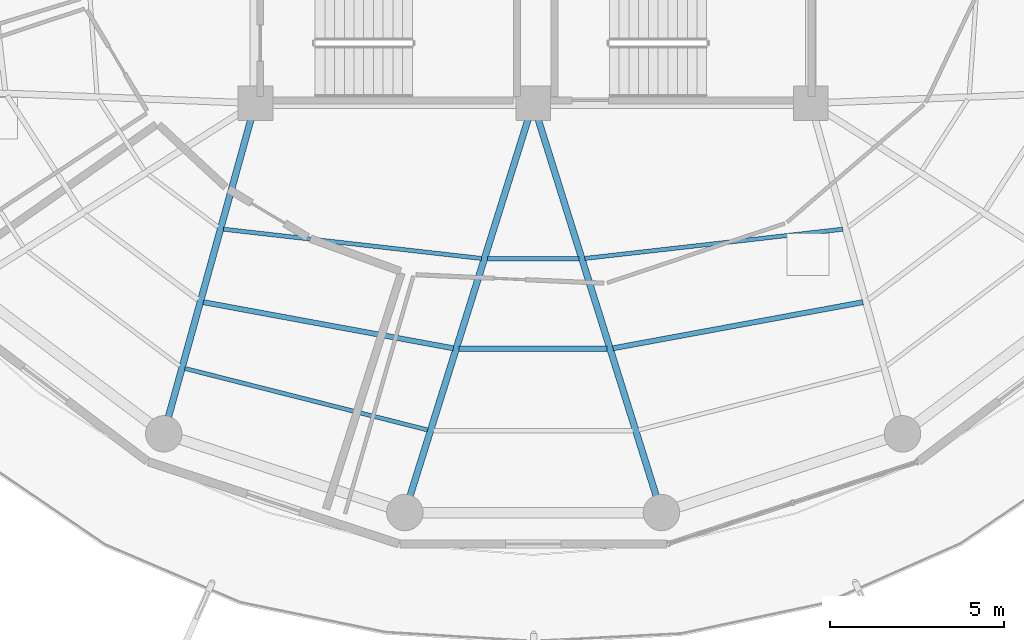
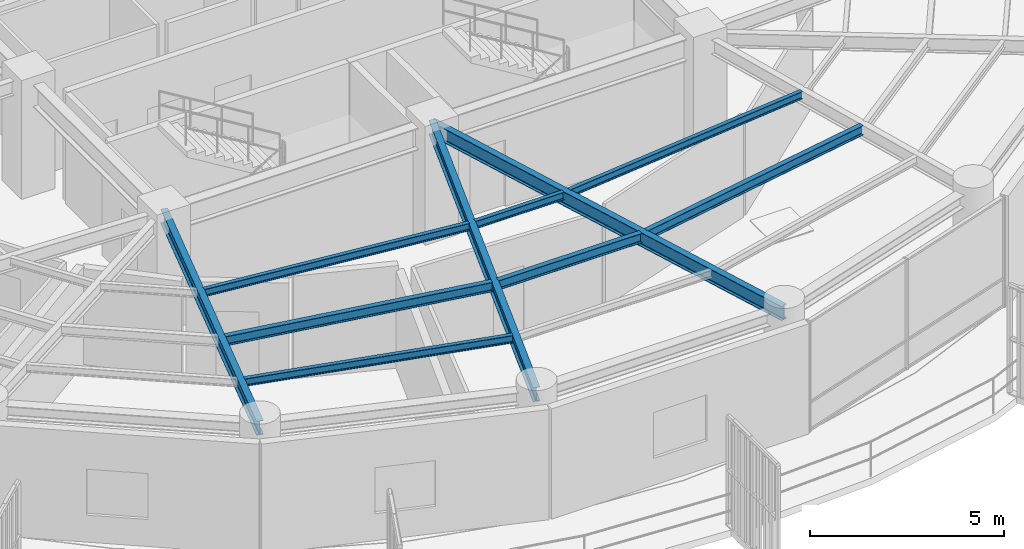
# One storey, part 5 of 31: 10 beams.
"""IFC4 building model written with IfcOpenShell, lengths in metres."""

from ifc_helpers import new_model, si_unit, direction, frame, origin, origin_2d, place, context, subcontext, project, spatial, i_section, extrude, material, material_profile, profile_set, type_object, element, save


model = new_model("IFC4")

# Units and contexts
model_context = context("Model", 3, precision=1e-05, world=origin(), true_north=direction((0.0, 1.0)))
body_context = subcontext(model_context, "Body", "Model", "MODEL_VIEW")
ifc_project = project(units=[si_unit("LENGTHUNIT", "METRE"), si_unit("AREAUNIT", "SQUARE_METRE"), si_unit("VOLUMEUNIT", "CUBIC_METRE"), si_unit("PLANEANGLEUNIT", "RADIAN"), si_unit("MASSUNIT", "GRAM", prefix="KILO")], contexts=[model_context])

# Site, building, storey
site_placement = place(None, origin())
site = spatial("IfcSite", under=ifc_project, at=site_placement, CompositionType="ELEMENT")
building_placement = place(site_placement, origin())
building = spatial("IfcBuilding", under=site, at=building_placement, Name="Kelanora Arch Commons", CompositionType="ELEMENT")
storey_placement = place(building_placement, frame((0.0, 0.0, 226.949951171875)))
storey = spatial("IfcBuildingStorey", under=building, at=storey_placement, Name="L58", CompositionType="ELEMENT", Elevation=226.949951171875)

# Beams
ifc_material = material(Name="Steel S355", Category="steel")
ifc_material_profile_1 = material_profile(ifc_material, i_section(OverallWidth=0.14990234375, OverallDepth=0.300048828125, WebThickness=0.007080078125, FlangeThickness=0.0107421875, FilletRadius=0.014892578125, at=origin_2d()), Name="IPE300")
ifc_profile_set_1 = profile_set([ifc_material_profile_1], Name="Steel S355")
beam_type_1 = type_object("IfcBeamType", Name="BM-JST-01", PredefinedType="JOIST", material=ifc_profile_set_1)
beam_1_placement = place(storey_placement, frame((64.49951171875, 45.270263671875, 3.340087890625), z_axis=(0.983389964671, -0.181505309519, 0.0), x_axis=(0.181505309519, 0.983389964671, 0.0)))
element("IfcBeam", 1, at=beam_1_placement, inside=storey, type_object=beam_type_1, Name="Secondary Chord Joist BJB-24 L58", PredefinedType="JOIST", context=body_context, shape_type="SweptSolid", body=[
    extrude(i_section(OverallWidth=0.14990234375, OverallDepth=0.300048828125, WebThickness=0.007080078125, FlangeThickness=0.0107421875, FilletRadius=0.014892578125, at=origin_2d()), origin(), (0.0, 0.0, 1.0), 7.3212890625),
])
beam_2_placement = place(storey_placement, frame((71.867919921875, 43.92578125, 3.340087890625), z_axis=(1.0, 0.0, 0.0), x_axis=(0.0, 1.0, 0.0)))
element("IfcBeam", 2, at=beam_2_placement, inside=storey, type_object=beam_type_1, Name="Secondary Chord Joist BJB-26 L58", PredefinedType="JOIST", context=body_context, shape_type="SweptSolid", body=[
    extrude(i_section(OverallWidth=0.14990234375, OverallDepth=0.300048828125, WebThickness=0.007080078125, FlangeThickness=0.0107421875, FilletRadius=0.014892578125, at=origin_2d()), origin(), (0.0, 0.0, 1.0), 4.26416015625),
])
beam_3_placement = place(storey_placement, frame((76.30078125, 43.94140625, 3.340087890625), z_axis=(0.983389964671, 0.181505309519, 0.0), x_axis=(-0.181505309519, 0.983389964671, 0.0)))
element("IfcBeam", 3, at=beam_3_placement, inside=storey, type_object=beam_type_1, Name="Secondary Chord Joist BJB-28 L58", PredefinedType="JOIST", context=body_context, shape_type="SweptSolid", body=[
    extrude(i_section(OverallWidth=0.14990234375, OverallDepth=0.300048828125, WebThickness=0.007080078125, FlangeThickness=0.0107421875, FilletRadius=0.014892578125, at=origin_2d()), origin(), (0.0, 0.0, 1.0), 7.3212890625),
])
ifc_material_profile_2 = material_profile(ifc_material, i_section(OverallWidth=0.1201171875, OverallDepth=0.239990234375, WebThickness=0.006103515625, FlangeThickness=0.009765625, FilletRadius=0.014892578125, at=origin_2d()), Name="IPE240")
ifc_profile_set_2 = profile_set([ifc_material_profile_2], Name="Steel S355")
beam_type_2 = type_object("IfcBeamType", Name="BM-JST-02", PredefinedType="JOIST", material=ifc_profile_set_2)
beam_4_placement = place(storey_placement, frame((65.081298828125, 47.371337890625, 3.3701171875), z_axis=(0.993639672263, -0.11260640171, 0.0), x_axis=(0.11260640171, 0.993639672263, 0.0)))
element("IfcBeam", 4, at=beam_4_placement, inside=storey, type_object=beam_type_2, Name="Secondary Chord Joist BJA-24 L58", PredefinedType="JOIST", context=body_context, shape_type="SweptSolid", body=[
    extrude(i_section(OverallWidth=0.1201171875, OverallDepth=0.239990234375, WebThickness=0.006103515625, FlangeThickness=0.009765625, FilletRadius=0.014892578125, at=origin_2d()), origin(), (0.0, 0.0, 1.0), 7.477783203125),
])
beam_5_placement = place(storey_placement, frame((63.970458984375, 43.360107421875, 3.3701171875), z_axis=(0.969370989998, -0.245601066263, 0.0), x_axis=(0.245601066263, 0.969370989998, 0.0)))
element("IfcBeam", 5, at=beam_5_placement, inside=storey, type_object=beam_type_2, Name="Secondary Chord Joist BJC-24 L58", PredefinedType="JOIST", context=body_context, shape_type="SweptSolid", body=[
    extrude(i_section(OverallWidth=0.1201171875, OverallDepth=0.239990234375, WebThickness=0.006103515625, FlangeThickness=0.009765625, FilletRadius=0.014892578125, at=origin_2d()), origin(), (0.0, 0.0, 1.0), 7.2119140625),
])
beam_6_placement = place(storey_placement, frame((72.680908203125, 46.519775390625, 3.3701171875), z_axis=(1.0, 0.0, 0.0), x_axis=(0.0, 1.0, 0.0)))
element("IfcBeam", 6, at=beam_6_placement, inside=storey, type_object=beam_type_2, Name="Secondary Chord Joist BJA-26 L58", PredefinedType="JOIST", context=body_context, shape_type="SweptSolid", body=[
    extrude(i_section(OverallWidth=0.1201171875, OverallDepth=0.239990234375, WebThickness=0.006103515625, FlangeThickness=0.009765625, FilletRadius=0.014892578125, at=origin_2d()), origin(), (0.0, 0.0, 1.0), 2.63818359375),
])
beam_7_placement = place(storey_placement, frame((75.488525390625, 46.529296875, 3.3701171875), z_axis=(0.993639672263, 0.11260640171, 0.0), x_axis=(-0.11260640171, 0.993639672263, 0.0)))
element("IfcBeam", 7, at=beam_7_placement, inside=storey, type_object=beam_type_2, Name="Secondary Chord Joist BJA-28 L58", PredefinedType="JOIST", context=body_context, shape_type="SweptSolid", body=[
    extrude(i_section(OverallWidth=0.1201171875, OverallDepth=0.239990234375, WebThickness=0.006103515625, FlangeThickness=0.009765625, FilletRadius=0.014892578125, at=origin_2d()), origin(), (0.0, 0.0, 1.0), 7.477783203125),
])
ifc_material_profile_3 = material_profile(ifc_material, i_section(OverallWidth=0.18994140625, OverallDepth=0.449951171875, WebThickness=0.009521484375, FlangeThickness=0.0146484375, FilletRadius=0.02099609375, at=origin_2d()), Name="IPE450")
ifc_profile_set_3 = profile_set([ifc_material_profile_3], Name="Steel S355")
beam_type_3 = type_object("IfcBeamType", Name="BM-RAD-Z4", PredefinedType="BEAM", material=ifc_profile_set_3)
beam_8_placement = place(storey_placement, frame((66.0, 51.0, 3.26513671875), z_axis=(-0.267120164296, -0.963663228429, 0.0), x_axis=(0.963663228429, -0.267120164296, 0.0)))
element("IfcBeam", 8, at=beam_8_placement, inside=storey, type_object=beam_type_3, Name="Radial Floor Girder BR-24 L58", PredefinedType="BEAM", context=body_context, shape_type="SweptSolid", body=[
    extrude(i_section(OverallWidth=0.18994140625, OverallDepth=0.449951171875, WebThickness=0.009521484375, FlangeThickness=0.0146484375, FilletRadius=0.02099609375, at=origin_2d()), origin(), (0.0, 0.0, 1.0), 9.8828125),
])
for number, where, z_axis, x_axis, name in (
    (9, (74.0, 51.0, 3.26513671875), (-0.299080457492, -0.954227897279, 0.0), (0.954227897279, -0.299080457492, 0.0), "Radial Floor Girder BR-26 L58"),
    (10, (74.0, 51.0, 3.26513671875), (0.299080457492, -0.954227897279, 0.0), (0.954227897279, 0.299080457492, 0.0), "Radial Floor Girder BR-28 L58"),
):
    element("IfcBeam", number, at=place(storey_placement, frame(where, z_axis=z_axis, x_axis=x_axis)), inside=storey, type_object=beam_type_3, Name=name, PredefinedType="BEAM", context=body_context, shape_type="SweptSolid", body=[
        extrude(i_section(OverallWidth=0.18994140625, OverallDepth=0.449951171875, WebThickness=0.009521484375, FlangeThickness=0.0146484375, FilletRadius=0.02099609375, at=origin_2d()), origin(), (0.0, 0.0, 1.0), 12.35546875),
    ])

save(model, "model.ifc")
